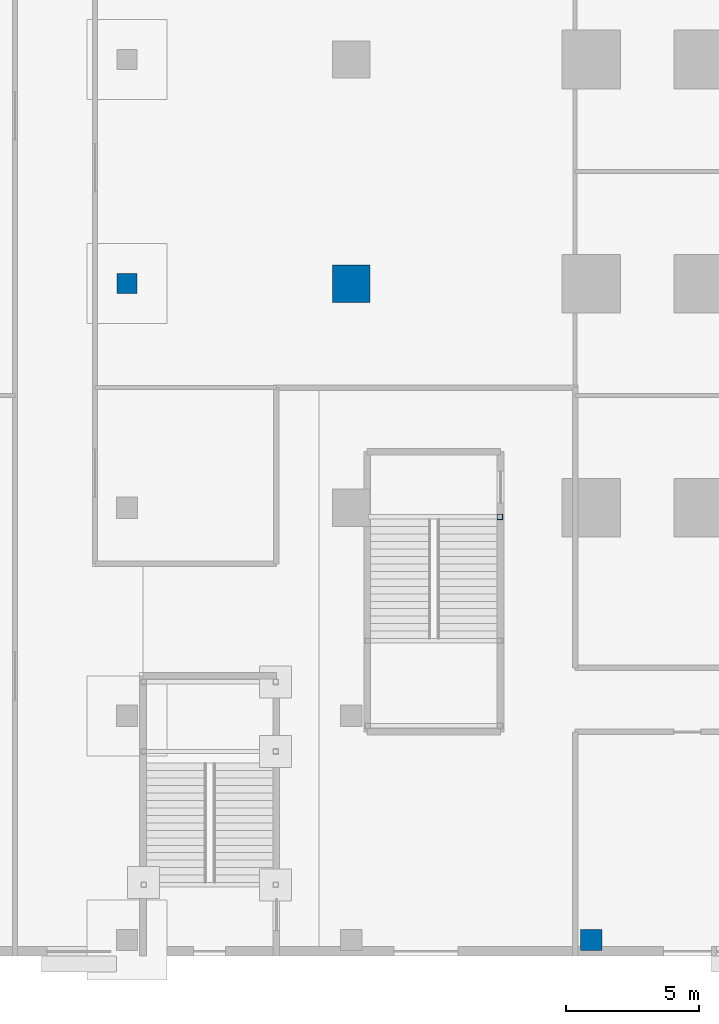
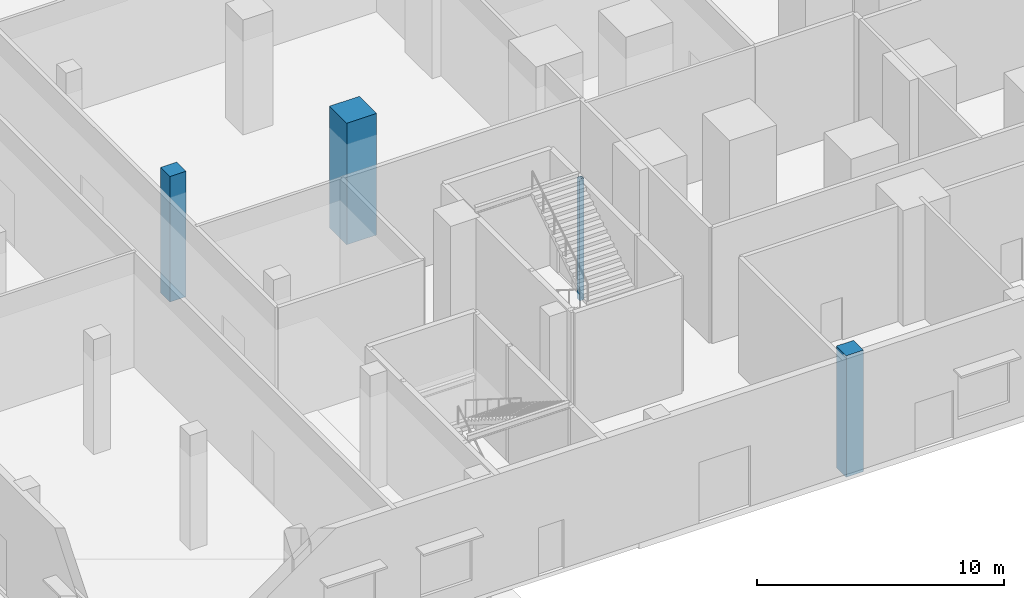
# One storey, part 4 of 26: 4 columns.
"""IFC4 building model written with IfcOpenShell, lengths in metres."""

from ifc_helpers import new_model, si_unit, direction, frame, origin, origin_2d, place, context, subcontext, project, spatial, rectangle, hollow_rectangle, extrude, material, material_profile, profile_set, type_object, element, save


model = new_model("IFC4")

# Units and contexts
model_context = context("Model", 3, precision=1e-05, world=origin(), true_north=direction((0.0, 1.0)))
body_context = subcontext(model_context, "Body", "Model", "MODEL_VIEW")
ifc_project = project(units=[si_unit("LENGTHUNIT", "METRE"), si_unit("AREAUNIT", "SQUARE_METRE"), si_unit("VOLUMEUNIT", "CUBIC_METRE"), si_unit("PLANEANGLEUNIT", "RADIAN"), si_unit("MASSUNIT", "GRAM", prefix="KILO")], contexts=[model_context])

# Site, building, storey
site_placement = place(None, origin())
site = spatial("IfcSite", under=ifc_project, at=site_placement, CompositionType="ELEMENT")
building_placement = place(site_placement, origin())
building = spatial("IfcBuilding", under=site, at=building_placement, Name="Dunama Terrace Hotel", CompositionType="ELEMENT")
storey_placement = place(building_placement, origin())
storey = spatial("IfcBuildingStorey", under=building, at=storey_placement, Name="L00", CompositionType="ELEMENT", Elevation=0.0)

# Columns
ifc_material_1 = material(Name="Concrete C50/60", Category="concrete")
ifc_material_profile_1 = material_profile(ifc_material_1, rectangle(XDim=1.39990234375, YDim=1.39990234375, at=origin_2d()), Name="RC 1400x1400")
ifc_profile_set_1 = profile_set([ifc_material_profile_1], Name="Concrete C50/60")
column_type_1 = type_object("IfcColumnType", Name="Column RC 1400x1400", PredefinedType="COLUMN", material=ifc_profile_set_1)
column_1_placement = place(storey_placement, frame((-8.39990234375, 16.800048828125, -0.300048828125), z_axis=(0.0, 0.0, 1.0), x_axis=(1.0, 0.0, 0.0)))
element("IfcColumn", 1, at=column_1_placement, inside=storey, type_object=column_type_1, Name="Column L00 -8.4/+16.8", PredefinedType="COLUMN", context=body_context, shape_type="SweptSolid", body=[
    extrude(rectangle(XDim=1.39990234375, YDim=1.39990234375, at=origin_2d()), origin(), (0.0, 0.0, 1.0), 6.0),
])
ifc_material_2 = material(Name="Concrete C40/50", Category="concrete")
ifc_material_profile_2 = material_profile(ifc_material_2, rectangle(XDim=0.75, YDim=0.75, at=origin_2d()), Name="RC 750x750")
ifc_profile_set_2 = profile_set([ifc_material_profile_2], Name="Concrete C40/50")
column_type_2 = type_object("IfcColumnType", Name="Column RC 750x750", PredefinedType="COLUMN", material=ifc_profile_set_2)
column_2_placement = place(storey_placement, frame((-16.800048828125, 16.800048828125, -0.5), z_axis=(0.0, 0.0, 1.0), x_axis=(1.0, 0.0, 0.0)))
element("IfcColumn", 2, at=column_2_placement, inside=storey, type_object=column_type_2, Name="Column L00 -16.8/+16.8", PredefinedType="COLUMN", context=body_context, shape_type="SweptSolid", body=[
    extrude(rectangle(XDim=0.75, YDim=0.75, at=origin_2d()), origin(), (0.0, 0.0, 1.0), 6.199951171875),
])
ifc_material_3 = material(Name="Concrete C40/50", Category="concrete")
ifc_material_profile_3 = material_profile(ifc_material_3, rectangle(XDim=0.800048828125, YDim=0.800048828125, at=origin_2d()), Name="RC 800x800")
ifc_profile_set_3 = profile_set([ifc_material_profile_3], Name="Concrete C40/50")
column_type_3 = type_object("IfcColumnType", Name="Column RC 800x800", PredefinedType="COLUMN", material=ifc_profile_set_3)
column_3_placement = place(storey_placement, frame((0.60009765625, -7.800048828125, -0.300048828125), z_axis=(0.0, 0.0, 1.0), x_axis=(1.0, 0.0, 0.0)))
element("IfcColumn", 3, at=column_3_placement, inside=storey, type_object=column_type_3, Name="Column L00 +0.6/-7.8", PredefinedType="COLUMN", context=body_context, shape_type="SweptSolid", body=[
    extrude(rectangle(XDim=0.800048828125, YDim=0.800048828125, at=origin_2d()), origin(), (0.0, 0.0, 1.0), 6.0),
])
ifc_material_4 = material(Name="Steel S355", Category="steel")
ifc_material_profile_4 = material_profile(ifc_material_4, hollow_rectangle(XDim=0.199951171875, YDim=0.199951171875, WallThickness=0.010009765625, at=origin_2d()), Name="SHS 200x200x10")
ifc_profile_set_4 = profile_set([ifc_material_profile_4], Name="Steel S355")
column_type_4 = type_object("IfcColumnType", Name="Stair post SHS 200x200x10", PredefinedType="COLUMN", material=ifc_profile_set_4)
column_4_placement = place(storey_placement, frame((-2.824951171875, 8.0576171875, -0.300048828125), z_axis=(0.0, 0.0, 1.0), x_axis=(1.0, 0.0, 0.0)))
element("IfcColumn", 4, at=column_4_placement, inside=storey, type_object=column_type_4, Name="Stair post P4 L00 -2.83/+8.06", PredefinedType="COLUMN", context=body_context, shape_type="SweptSolid", body=[
    extrude(hollow_rectangle(XDim=0.199951171875, YDim=0.199951171875, WallThickness=0.010009765625, at=origin_2d()), origin(), (0.0, 0.0, 1.0), 6.0),
])

save(model, "model.ifc")
